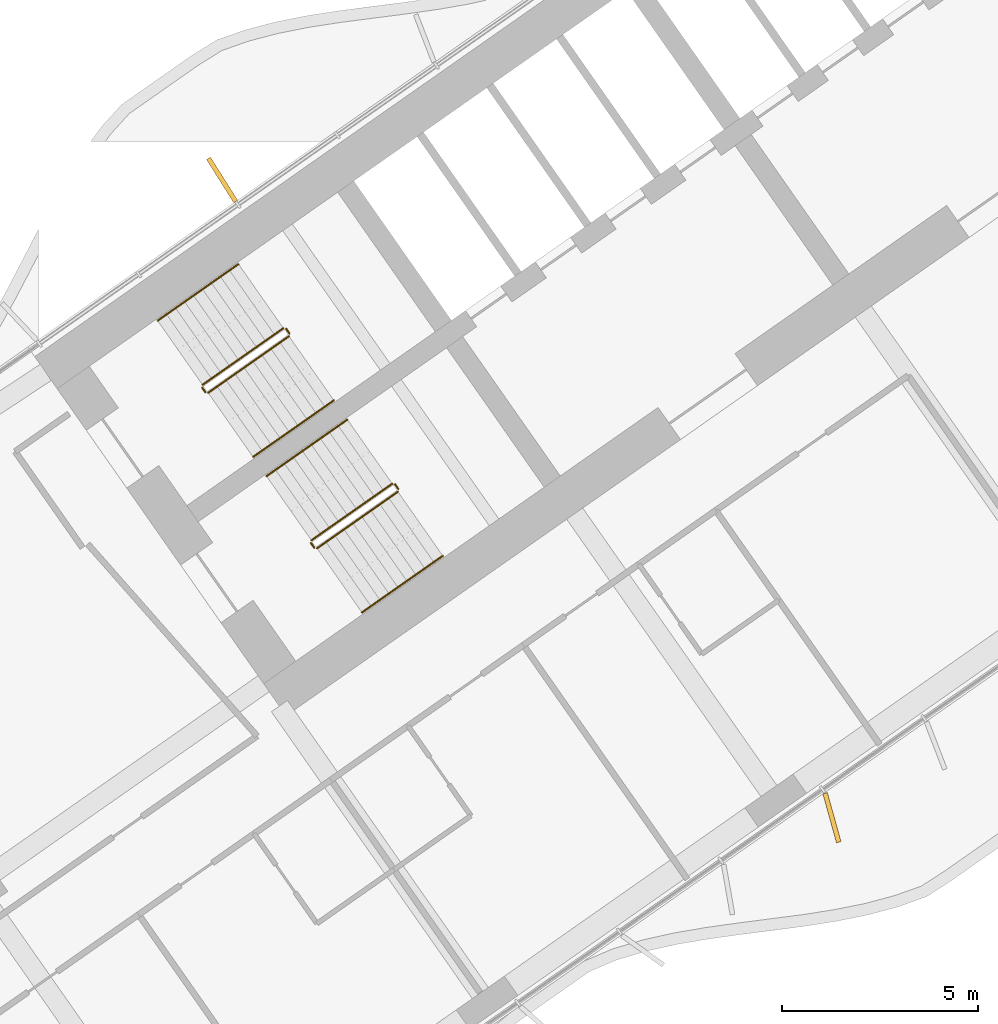
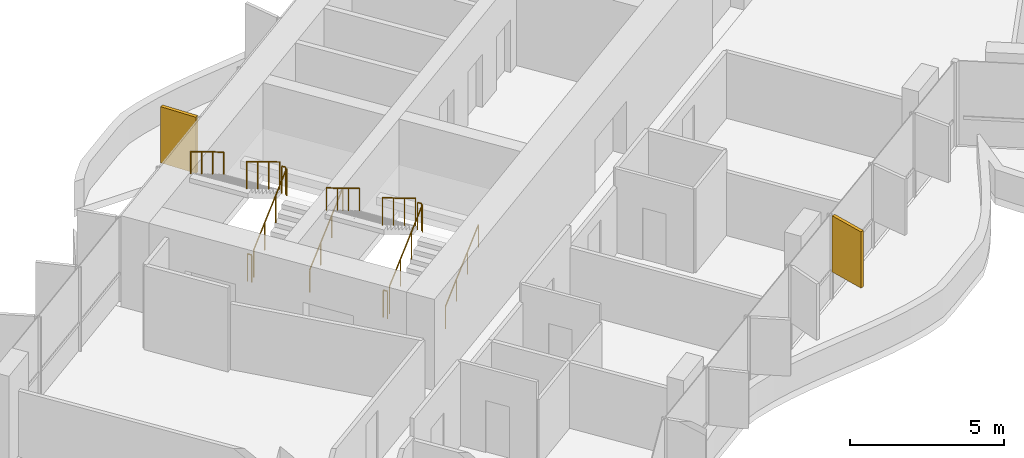
# One storey, part 19 of 23: 12 railings, 2 shading devices.
"""IFC4 building model written with IfcOpenShell, lengths in metres."""

from ifc_helpers import new_model, si_unit, direction, frame, origin, origin_2d, place, context, subcontext, project, spatial, rectangle, circle, extrude, material, layer, layer_set, type_object, element, save


model = new_model("IFC4")

# Units and contexts
model_context = context("Model", 3, precision=1e-05, world=origin(), true_north=direction((0.0, 1.0)))
body_context = subcontext(model_context, "Body", "Model", "MODEL_VIEW")
ifc_project = project(units=[si_unit("LENGTHUNIT", "METRE"), si_unit("AREAUNIT", "SQUARE_METRE"), si_unit("VOLUMEUNIT", "CUBIC_METRE"), si_unit("PLANEANGLEUNIT", "RADIAN"), si_unit("MASSUNIT", "GRAM", prefix="KILO")], contexts=[model_context])

# Site, building, storey
site_placement = place(None, origin())
site = spatial("IfcSite", under=ifc_project, at=site_placement, CompositionType="ELEMENT")
building_placement = place(site_placement, origin())
building = spatial("IfcBuilding", under=site, at=building_placement, Name="Tel Ilan Convention Tower", CompositionType="ELEMENT")
storey_placement = place(building_placement, frame((0.0, 0.0, 119.300048828125)))
storey = spatial("IfcBuildingStorey", under=building, at=storey_placement, Name="L26", CompositionType="ELEMENT", Elevation=119.300048828125)

# Shading devices
ifc_material_1 = material(Name="Aluminium, bronze anodised", Category="aluminium")
ifc_layer = layer(ifc_material_1, 0.1201171875)
ifc_layer_set = layer_set([ifc_layer], Name="FIN BRONZE 1300x120")
shading_device_type = type_object("IfcShadingDeviceType", Name="FIN BRONZE 1300x120", PredefinedType="USERDEFINED", material=ifc_layer_set)
for number, where, z_axis, x_axis, name in (
    (1, (-23.18017578125, -2.617431640625, 1.10009765625), (0.0, 0.0, 1.0), (-0.533204432798, 0.845986425922, 0.0), "FIN"),
    (2, (-7.599609375, -18.91162109375, 1.10009765625), (0.0, 0.0, 1.0), (0.268172612768, -0.963370878614, 0.0), "FIN"),
):
    element("IfcShadingDevice", number, at=place(storey_placement, frame(where, z_axis=z_axis, x_axis=x_axis)), inside=storey, type_object=shading_device_type, Name=name, ObjectType="FIN", PredefinedType="USERDEFINED", context=body_context, shape_type="SweptSolid", body=[
        extrude(rectangle(XDim=1.300048828125, YDim=0.1201171875, at=origin_2d()), origin(), (0.0, 0.0, 1.0), 2.219970703125),
    ])

# Railings
ifc_material_2 = material(Name="Stainless Steel Grade 316", Category="steel")
railing_type_1 = type_object("IfcRailingType", Name="Stainless Steel Stair Guard 1100 mm", PredefinedType="GUARDRAIL", material=ifc_material_2)
railing_1_placement = place(storey_placement, frame((-23.535400390625, -8.056396484375, 0.179931640625)))
element("IfcRailing", 3, at=railing_1_placement, inside=storey, type_object=railing_type_1, Name="L26 S1 stair guard 1", PredefinedType="GUARDRAIL", context=body_context, shape_type="SweptSolid", body=[
    extrude(circle(Radius=0.02392578125, at=origin_2d()), frame((0.0, 0.0, 1.076171875), z_axis=(0.689013013563, 0.482512838948, 0.540779462804), x_axis=(-0.573624882958, 0.819118119475, 0.0)), (0.0, 0.0, 1.0), 2.995849609375),
    extrude(circle(Radius=0.02099609375, at=origin_2d()), origin(), (0.0, 0.0, 1.0), 1.052001953125),
    extrude(circle(Radius=0.02099609375, at=origin_2d()), frame((0.68798828125, 0.48193359375, 0.5400390625)), (0.0, 0.0, 1.0), 1.052001953125),
    extrude(circle(Radius=0.02099609375, at=origin_2d()), frame((1.376220703125, 0.963623046875, 1.080078125)), (0.0, 0.0, 1.0), 1.052001953125),
    extrude(circle(Radius=0.02099609375, at=origin_2d()), frame((2.064208984375, 1.445556640625, 1.6201171875)), (0.0, 0.0, 1.0), 1.052001953125),
])
railing_2_placement = place(storey_placement, frame((-21.458984375, -6.541259765625, 1.800048828125)))
element("IfcRailing", 4, at=railing_2_placement, inside=storey, type_object=railing_type_1, Name="L26 S1 stair guard 2", PredefinedType="GUARDRAIL", context=body_context, shape_type="SweptSolid", body=[
    extrude(circle(Radius=0.02392578125, at=origin_2d()), frame((0.0, 0.0, 1.076171875), z_axis=(-0.573353020881, 0.819308436089, 0.0), x_axis=(-0.819308436089, -0.573353020881, 0.0)), (0.0, 0.0, 1.0), 0.14990234375),
    extrude(circle(Radius=0.02099609375, at=origin_2d()), origin(), (0.0, 0.0, 1.0), 1.052001953125),
    extrude(circle(Radius=0.02099609375, at=origin_2d()), frame((-0.0859375, 0.122802734375, 0.0)), (0.0, 0.0, 1.0), 1.052001953125),
])
railing_3_placement = place(storey_placement, frame((-21.614501953125, -6.406005859375, 1.97998046875)))
element("IfcRailing", 5, at=railing_3_placement, inside=storey, type_object=railing_type_1, Name="L26 S1 stair guard 3", PredefinedType="GUARDRAIL", context=body_context, shape_type="SweptSolid", body=[
    extrude(circle(Radius=0.02392578125, at=origin_2d()), frame((0.0, 0.0, 1.076171875), z_axis=(-0.689043377453, -0.48253410265, 0.540721798865), x_axis=(0.573624882958, -0.819118119475, 0.0)), (0.0, 0.0, 1.0), 2.995849609375),
    extrude(circle(Radius=0.02099609375, at=origin_2d()), origin(), (0.0, 0.0, 1.0), 1.052001953125),
    extrude(circle(Radius=0.02099609375, at=origin_2d()), frame((-0.68798828125, -0.48193359375, 0.5400390625)), (0.0, 0.0, 1.0), 1.052001953125),
    extrude(circle(Radius=0.02099609375, at=origin_2d()), frame((-1.376220703125, -0.963623046875, 1.079833984375)), (0.0, 0.0, 1.0), 1.052001953125),
    extrude(circle(Radius=0.02099609375, at=origin_2d()), frame((-2.064208984375, -1.445556640625, 1.619873046875)), (0.0, 0.0, 1.0), 1.052001953125),
])
railing_4_placement = place(storey_placement, frame((-23.60498046875, -8.0439453125, 0.0)))
element("IfcRailing", 6, at=railing_4_placement, inside=storey, type_object=railing_type_1, Name="L26 S1 stair guard 4", PredefinedType="GUARDRAIL", context=body_context, shape_type="SweptSolid", body=[
    extrude(circle(Radius=0.02392578125, at=origin_2d()), frame((0.0, 0.0, 1.076171875), z_axis=(-0.574444878118, 0.818543268254, 0.0), x_axis=(-0.818543268254, -0.574444878118, 0.0)), (0.0, 0.0, 1.0), 0.150146484375),
    extrude(circle(Radius=0.02099609375, at=origin_2d()), origin(), (0.0, 0.0, 1.0), 1.052001953125),
    extrude(circle(Radius=0.02099609375, at=origin_2d()), frame((-0.086181640625, 0.122802734375, 0.0)), (0.0, 0.0, 1.0), 1.052001953125),
])
railing_5_placement = place(storey_placement, frame((-20.753662109375, -12.029296875, 0.179931640625)))
element("IfcRailing", 7, at=railing_5_placement, inside=storey, type_object=railing_type_1, Name="L26 S2 stair guard 1", PredefinedType="GUARDRAIL", context=body_context, shape_type="SweptSolid", body=[
    extrude(circle(Radius=0.02392578125, at=origin_2d()), frame((0.0, 0.0, 1.076171875), z_axis=(0.689055814419, 0.482485747064, 0.540749099395), x_axis=(-0.573579365141, 0.81914999352, 0.0)), (0.0, 0.0, 1.0), 2.99609375),
    extrude(circle(Radius=0.02099609375, at=origin_2d()), origin(), (0.0, 0.0, 1.0), 1.052001953125),
    extrude(circle(Radius=0.02099609375, at=origin_2d()), frame((0.688232421875, 0.48193359375, 0.5400390625)), (0.0, 0.0, 1.0), 1.052001953125),
    extrude(circle(Radius=0.02099609375, at=origin_2d()), frame((1.376220703125, 0.963623046875, 1.080078125)), (0.0, 0.0, 1.0), 1.052001953125),
    extrude(circle(Radius=0.02099609375, at=origin_2d()), frame((2.064453125, 1.445556640625, 1.6201171875)), (0.0, 0.0, 1.0), 1.052001953125),
])
railing_6_placement = place(storey_placement, frame((-18.677001953125, -10.51416015625, 1.800048828125)))
element("IfcRailing", 8, at=railing_6_placement, inside=storey, type_object=railing_type_1, Name="L26 S2 stair guard 2", PredefinedType="GUARDRAIL", context=body_context, shape_type="SweptSolid", body=[
    extrude(circle(Radius=0.02392578125, at=origin_2d()), frame((0.0, 0.0, 1.076171875), z_axis=(-0.573353020881, 0.819308436089, 0.0), x_axis=(-0.819308436089, -0.573353020881, 0.0)), (0.0, 0.0, 1.0), 0.14990234375),
    extrude(circle(Radius=0.02099609375, at=origin_2d()), origin(), (0.0, 0.0, 1.0), 1.052001953125),
    extrude(circle(Radius=0.02099609375, at=origin_2d()), frame((-0.0859375, 0.122802734375, 0.0)), (0.0, 0.0, 1.0), 1.052001953125),
])
railing_7_placement = place(storey_placement, frame((-18.832763671875, -10.37890625, 1.97998046875)))
element("IfcRailing", 9, at=railing_7_placement, inside=storey, type_object=railing_type_1, Name="L26 S2 stair guard 3", PredefinedType="GUARDRAIL", context=body_context, shape_type="SweptSolid", body=[
    extrude(circle(Radius=0.02392578125, at=origin_2d()), frame((0.0, 0.0, 1.076171875), z_axis=(-0.689043377453, -0.48253410265, 0.540721798865), x_axis=(0.573624882958, -0.819118119475, 0.0)), (0.0, 0.0, 1.0), 2.995849609375),
    extrude(circle(Radius=0.02099609375, at=origin_2d()), origin(), (0.0, 0.0, 1.0), 1.052001953125),
    extrude(circle(Radius=0.02099609375, at=origin_2d()), frame((-0.68798828125, -0.48193359375, 0.5400390625)), (0.0, 0.0, 1.0), 1.052001953125),
    extrude(circle(Radius=0.02099609375, at=origin_2d()), frame((-1.376220703125, -0.963623046875, 1.079833984375)), (0.0, 0.0, 1.0), 1.052001953125),
    extrude(circle(Radius=0.02099609375, at=origin_2d()), frame((-2.064208984375, -1.445556640625, 1.619873046875)), (0.0, 0.0, 1.0), 1.052001953125),
])
railing_8_placement = place(storey_placement, frame((-20.8232421875, -12.016845703125, 0.0)))
element("IfcRailing", 10, at=railing_8_placement, inside=storey, type_object=railing_type_1, Name="L26 S2 stair guard 4", PredefinedType="GUARDRAIL", context=body_context, shape_type="SweptSolid", body=[
    extrude(circle(Radius=0.02392578125, at=origin_2d()), frame((0.0, 0.0, 1.076171875), z_axis=(-0.573353020881, 0.819308436089, 0.0), x_axis=(-0.819308436089, -0.573353020881, 0.0)), (0.0, 0.0, 1.0), 0.14990234375),
    extrude(circle(Radius=0.02099609375, at=origin_2d()), origin(), (0.0, 0.0, 1.0), 1.052001953125),
    extrude(circle(Radius=0.02099609375, at=origin_2d()), frame((-0.0859375, 0.122802734375, 0.0)), (0.0, 0.0, 1.0), 1.052001953125),
])
ifc_material_3 = material(Name="Stainless Steel Grade 316", Category="steel")
railing_type_2 = type_object("IfcRailingType", Name="Stainless Steel Stair Handrail 900 mm", PredefinedType="HANDRAIL", material=ifc_material_3)
railing_9_placement = place(storey_placement, frame((-22.38818359375, -9.694580078125, 0.179931640625)))
element("IfcRailing", 11, at=railing_9_placement, inside=storey, type_object=railing_type_2, Name="L26 S1 stair handrail 1", PredefinedType="HANDRAIL", context=body_context, shape_type="SweptSolid", body=[
    extrude(circle(Radius=0.02392578125, at=origin_2d()), frame((0.0, 0.0, 0.8759765625), z_axis=(0.689040105437, 0.482450316285, 0.54080072616), x_axis=(-0.573559875649, 0.819163639968, 0.0)), (0.0, 0.0, 1.0), 2.995849609375),
    extrude(circle(Radius=0.02099609375, at=origin_2d()), origin(), (0.0, 0.0, 1.0), 0.851806640625),
    extrude(circle(Radius=0.02099609375, at=origin_2d()), frame((0.68798828125, 0.481689453125, 0.5400390625)), (0.0, 0.0, 1.0), 0.851806640625),
    extrude(circle(Radius=0.02099609375, at=origin_2d()), frame((1.376220703125, 0.963623046875, 1.080078125)), (0.0, 0.0, 1.0), 0.851806640625),
    extrude(circle(Radius=0.02099609375, at=origin_2d()), frame((2.064208984375, 1.4453125, 1.6201171875)), (0.0, 0.0, 1.0), 0.851806640625),
])
railing_10_placement = place(storey_placement, frame((-22.76171875, -4.767822265625, 1.97998046875)))
element("IfcRailing", 12, at=railing_10_placement, inside=storey, type_object=railing_type_2, Name="L26 S1 stair handrail 2", PredefinedType="HANDRAIL", context=body_context, shape_type="SweptSolid", body=[
    extrude(circle(Radius=0.02392578125, at=origin_2d()), frame((0.0, 0.0, 0.8759765625), z_axis=(-0.68907047291, -0.482471578903, 0.540743061828), x_axis=(0.573559875649, -0.819163639968, 0.0)), (0.0, 0.0, 1.0), 2.99560546875),
    extrude(circle(Radius=0.02099609375, at=origin_2d()), origin(), (0.0, 0.0, 1.0), 0.851806640625),
    extrude(circle(Radius=0.02099609375, at=origin_2d()), frame((-0.68798828125, -0.481689453125, 0.5400390625)), (0.0, 0.0, 1.0), 0.851806640625),
    extrude(circle(Radius=0.02099609375, at=origin_2d()), frame((-1.376220703125, -0.963623046875, 1.079833984375)), (0.0, 0.0, 1.0), 0.851806640625),
    extrude(circle(Radius=0.02099609375, at=origin_2d()), frame((-2.064208984375, -1.4453125, 1.619873046875)), (0.0, 0.0, 1.0), 0.851806640625),
])
railing_11_placement = place(storey_placement, frame((-19.6064453125, -13.66748046875, 0.179931640625)))
element("IfcRailing", 13, at=railing_11_placement, inside=storey, type_object=railing_type_2, Name="L26 S2 stair handrail 1", PredefinedType="HANDRAIL", context=body_context, shape_type="SweptSolid", body=[
    extrude(circle(Radius=0.02392578125, at=origin_2d()), frame((0.0, 0.0, 0.8759765625), z_axis=(0.689040105437, 0.482450316285, 0.54080072616), x_axis=(-0.573559875649, 0.819163639968, 0.0)), (0.0, 0.0, 1.0), 2.995849609375),
    extrude(circle(Radius=0.02099609375, at=origin_2d()), origin(), (0.0, 0.0, 1.0), 0.851806640625),
    extrude(circle(Radius=0.02099609375, at=origin_2d()), frame((0.68798828125, 0.481689453125, 0.5400390625)), (0.0, 0.0, 1.0), 0.851806640625),
    extrude(circle(Radius=0.02099609375, at=origin_2d()), frame((1.376220703125, 0.963623046875, 1.080078125)), (0.0, 0.0, 1.0), 0.851806640625),
    extrude(circle(Radius=0.02099609375, at=origin_2d()), frame((2.064208984375, 1.4453125, 1.6201171875)), (0.0, 0.0, 1.0), 0.851806640625),
])
railing_12_placement = place(storey_placement, frame((-19.979736328125, -8.74072265625, 1.97998046875)))
element("IfcRailing", 14, at=railing_12_placement, inside=storey, type_object=railing_type_2, Name="L26 S2 stair handrail 2", PredefinedType="HANDRAIL", context=body_context, shape_type="SweptSolid", body=[
    extrude(circle(Radius=0.02392578125, at=origin_2d()), frame((0.0, 0.0, 0.8759765625), z_axis=(-0.689113270881, -0.482444484817, 0.540712695399), x_axis=(0.573514357932, -0.81919550856, 0.0)), (0.0, 0.0, 1.0), 2.995849609375),
    extrude(circle(Radius=0.02099609375, at=origin_2d()), origin(), (0.0, 0.0, 1.0), 0.851806640625),
    extrude(circle(Radius=0.02099609375, at=origin_2d()), frame((-0.688232421875, -0.481689453125, 0.5400390625)), (0.0, 0.0, 1.0), 0.851806640625),
    extrude(circle(Radius=0.02099609375, at=origin_2d()), frame((-1.376220703125, -0.963623046875, 1.079833984375)), (0.0, 0.0, 1.0), 0.851806640625),
    extrude(circle(Radius=0.02099609375, at=origin_2d()), frame((-2.064453125, -1.4453125, 1.619873046875)), (0.0, 0.0, 1.0), 0.851806640625),
])

save(model, "model.ifc")
